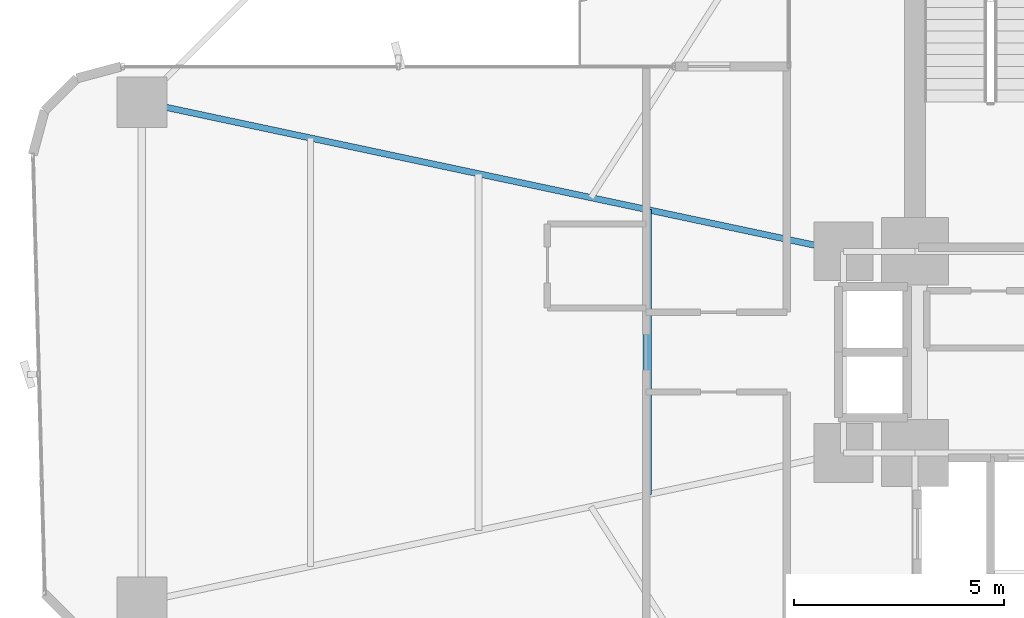
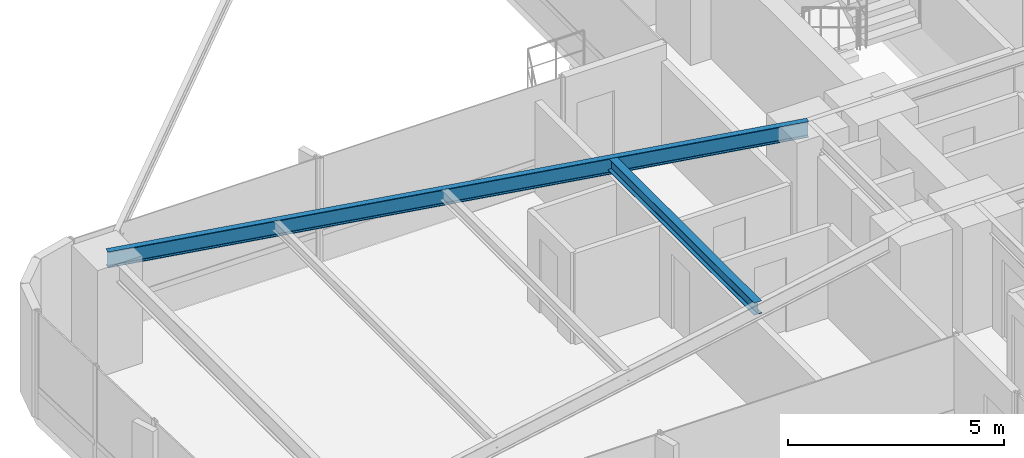
# One storey, part 9 of 25: 2 beams.
"""IFC4 building model written with IfcOpenShell, lengths in metres."""

from ifc_helpers import new_model, si_unit, direction, frame, origin, origin_2d, place, context, subcontext, project, spatial, i_section, extrude, source, transform, mapped, material, material_profile, profile_set, type_object, element, save


model = new_model("IFC4")

# Units and contexts
model_context = context("Model", 3, precision=1e-05, world=origin(), true_north=direction((0.0, 1.0)))
body_context = subcontext(model_context, "Body", "Model", "MODEL_VIEW")
ifc_project = project(units=[si_unit("LENGTHUNIT", "METRE"), si_unit("AREAUNIT", "SQUARE_METRE"), si_unit("VOLUMEUNIT", "CUBIC_METRE"), si_unit("PLANEANGLEUNIT", "RADIAN"), si_unit("MASSUNIT", "GRAM", prefix="KILO")], contexts=[model_context])

# Site, building, storey
site_placement = place(None, origin())
site = spatial("IfcSite", under=ifc_project, at=site_placement, CompositionType="ELEMENT")
building_placement = place(site_placement, origin())
building = spatial("IfcBuilding", under=site, at=building_placement, Name="Sahyath Konkavel Grand Hotel", CompositionType="ELEMENT")
storey_placement = place(building_placement, frame((0.0, 0.0, 71.14990234375)))
storey = spatial("IfcBuildingStorey", under=building, at=storey_placement, Name="L19", CompositionType="ELEMENT", Elevation=71.14990234375)

# Beams
ifc_material = material(Name="Steel E350", Category="steel")
ifc_material_profile_1 = material_profile(ifc_material, i_section(OverallWidth=0.14990234375, OverallDepth=0.449951171875, WebThickness=0.009521484375, FlangeThickness=0.017333984375, FilletRadius=0.014892578125, at=origin_2d()), Name="ISMB 450")
ifc_profile_set_1 = profile_set([ifc_material_profile_1], Name="Steel E350")
beam_type_1 = type_object("IfcBeamType", Name="BM-ISMB450", PredefinedType="BEAM", material=ifc_profile_set_1)
shared_shape_1 = source(origin(), body_context, "Body", "SweptSolid", [
    extrude(i_section(OverallWidth=0.14990234375, OverallDepth=0.449951171875, WebThickness=0.009521484375, FlangeThickness=0.017333984375, FilletRadius=0.014892578125, at=origin_2d()), origin(), (0.0, 0.0, 1.0), 17.072998046875),
])
beam_1_placement = place(storey_placement, frame((-5.5, 2.39990234375, 2.80517578125), z_axis=(-0.978143257225, 0.20793212437, 0.0), x_axis=(-0.20793212437, -0.978143257225, 0.0)))
element("IfcBeam", 1, at=beam_1_placement, inside=storey, type_object=beam_type_1, Name="L19 Cruciform Radial Girder WA", PredefinedType="BEAM", context=body_context, shape_type="MappedRepresentation", body=[
    mapped(shared_shape_1, transform((0.0, 0.0, 0.0), scale=1.0)),
])
ifc_material_profile_2 = material_profile(ifc_material, i_section(OverallWidth=0.199951171875, OverallDepth=0.35009765625, WebThickness=0.008056640625, FlangeThickness=0.011474609375, FilletRadius=0.013916015625, at=origin_2d()), Name="ISWB 350")
ifc_profile_set_2 = profile_set([ifc_material_profile_2], Name="Steel E350")
beam_type_2 = type_object("IfcBeamType", Name="BM-ISWB350", PredefinedType="BEAM", material=ifc_profile_set_2)
shared_shape_2 = source(origin(), body_context, "Body", "SweptSolid", [
    extrude(i_section(OverallWidth=0.199951171875, OverallDepth=0.35009765625, WebThickness=0.008056640625, FlangeThickness=0.011474609375, FilletRadius=0.013916015625, at=origin_2d()), origin(), (0.0, 0.0, 1.0), 6.7880859375),
])
beam_2_placement = place(storey_placement, frame((-10.176025390625, 3.39404296875, 2.85498046875), z_axis=(0.0, -1.0, 0.0), x_axis=(1.0, 0.0, 0.0)))
element("IfcBeam", 2, at=beam_2_placement, inside=storey, type_object=beam_type_2, Name="L19 Secondary Floor Beam W-1", PredefinedType="BEAM", context=body_context, shape_type="MappedRepresentation", body=[
    mapped(shared_shape_2, transform((0.0, 0.0, 0.0), scale=1.0)),
])

save(model, "model.ifc")
